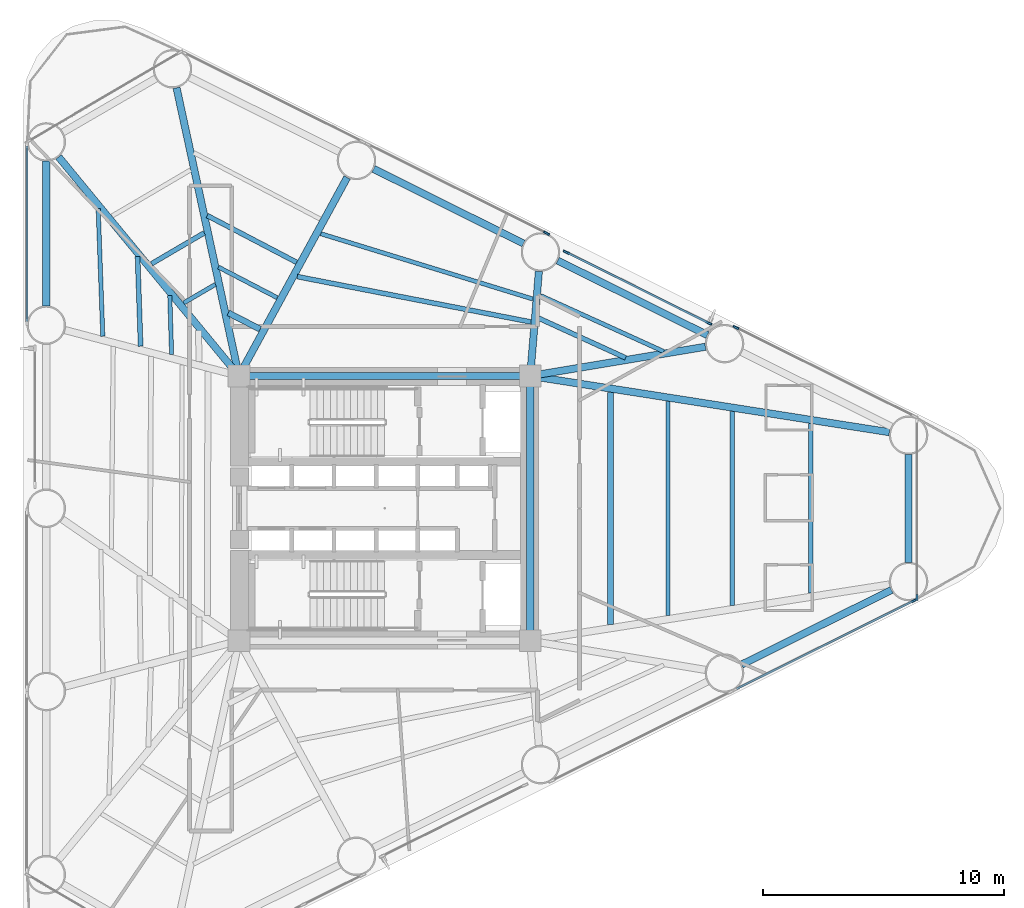
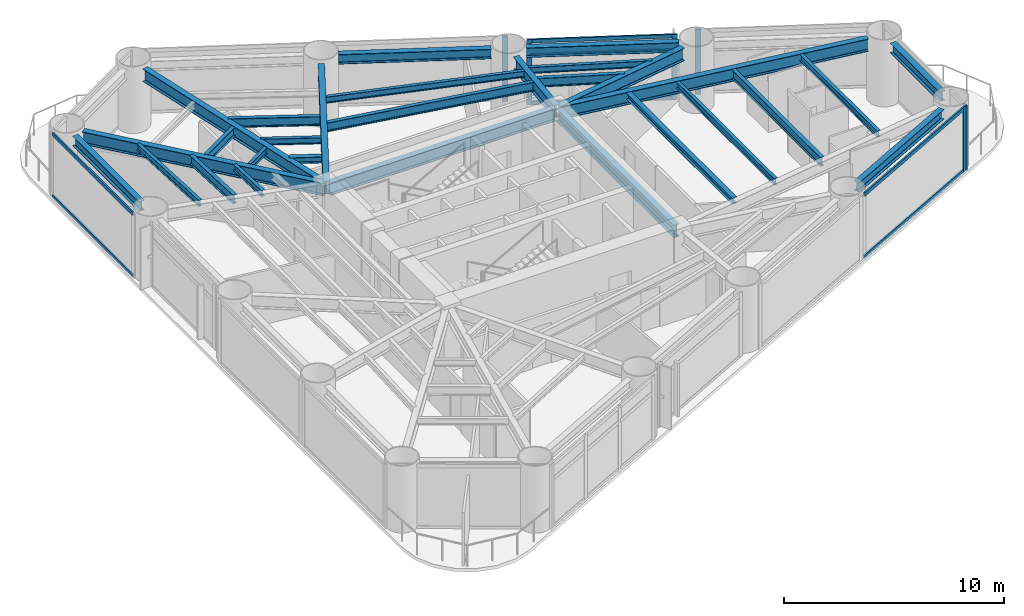
# One storey, part 3 of 10: 29 beams, 13 members, 6 elements without a shape of their own.
"""IFC4 building model written with IfcOpenShell, lengths in metres."""

from ifc_helpers import new_model, si_unit, direction, frame, origin, origin_2d, place, context, subcontext, project, spatial, rectangle, i_section, extrude, source, transform, mapped, material, layer, layer_set, material_profile, profile_set, type_object, element, aggregate, save


model = new_model("IFC4")

# Units and contexts
model_context = context("Model", 3, precision=1e-05, world=origin(), true_north=direction((0.0, 1.0)))
body_context = subcontext(model_context, "Body", "Model", "MODEL_VIEW")
ifc_project = project(units=[si_unit("LENGTHUNIT", "METRE"), si_unit("AREAUNIT", "SQUARE_METRE"), si_unit("VOLUMEUNIT", "CUBIC_METRE"), si_unit("PLANEANGLEUNIT", "RADIAN"), si_unit("MASSUNIT", "GRAM", prefix="KILO")], contexts=[model_context])

# Site, building, storey
site_placement = place(None, origin())
site = spatial("IfcSite", under=ifc_project, at=site_placement, CompositionType="ELEMENT")
building_placement = place(site_placement, origin())
building = spatial("IfcBuilding", under=site, at=building_placement, Name="Yunling Apex Tower", CompositionType="ELEMENT")
storey_placement = place(building_placement, frame((0.0, 0.0, 38.60009765625)))
storey = spatial("IfcBuildingStorey", under=building, at=storey_placement, Name="L11", CompositionType="ELEMENT", Elevation=38.60009765625)

# Beams
ifc_material_1 = material(Name="Steel Q355B", Category="steel")
ifc_material_profile_1 = material_profile(ifc_material_1, i_section(OverallWidth=0.300048828125, OverallDepth=0.699951171875, WebThickness=0.012939453125, FlangeThickness=0.02392578125, FilletRadius=0.02587890625, at=origin_2d()))
ifc_profile_set_1 = profile_set([ifc_material_profile_1], Name="Steel Q355B")
beam_type_1 = type_object("IfcBeamType", Name="BG-PRI-3", PredefinedType="USERDEFINED", material=ifc_profile_set_1)
shared_shape_1 = source(origin(), body_context, "Body", "SweptSolid", [
    extrude(i_section(OverallWidth=0.300048828125, OverallDepth=0.699951171875, WebThickness=0.012939453125, FlangeThickness=0.02392578125, FilletRadius=0.02587890625, at=origin_2d()), origin(), (0.0, 0.0, 1.0), 11.7998046875),
])
beam_1_placement = place(storey_placement, frame((5.89990234375, 5.5, 3.164794921875), z_axis=(-1.0, 0.0, 0.0), x_axis=(0.0, -1.0, 0.0)))
element("IfcBeam", 1, at=beam_1_placement, inside=storey, type_object=beam_type_1, Name="L11 Core Ring Tie Beam 3", ObjectType="GIRDER", PredefinedType="USERDEFINED", context=body_context, shape_type="MappedRepresentation", body=[
    mapped(shared_shape_1, transform((0.0, 0.0, 0.0), scale=1.0)),
])
shared_shape_2 = source(origin(), body_context, "Body", "SweptSolid", [
    extrude(i_section(OverallWidth=0.300048828125, OverallDepth=0.699951171875, WebThickness=0.012939453125, FlangeThickness=0.02392578125, FilletRadius=0.02587890625, at=origin_2d()), origin(), (0.0, 0.0, 1.0), 10.7001953125),
])
beam_2_placement = place(storey_placement, frame((6.050048828125, -5.35009765625, 3.164794921875), z_axis=(0.0, 1.0, 0.0), x_axis=(-1.0, 0.0, 0.0)))
element("IfcBeam", 2, at=beam_2_placement, inside=storey, type_object=beam_type_1, Name="L11 Core Ring Tie Beam 2", ObjectType="GIRDER", PredefinedType="USERDEFINED", context=body_context, shape_type="MappedRepresentation", body=[
    mapped(shared_shape_2, transform((0.0, 0.0, 0.0), scale=1.0)),
])
ifc_material_profile_2 = material_profile(ifc_material_1, i_section(OverallWidth=0.300048828125, OverallDepth=0.5400390625, WebThickness=0.011962890625, FlangeThickness=0.02001953125, FilletRadius=0.02392578125, at=origin_2d()))
ifc_profile_set_2 = profile_set([ifc_material_profile_2], Name="Steel Q355B")
beam_type_2 = type_object("IfcBeamType", Name="BP-SPN-1", PredefinedType="SPANDREL", material=ifc_profile_set_2)
shared_shape_3 = source(origin(), body_context, "Body", "SweptSolid", [
    extrude(i_section(OverallWidth=0.300048828125, OverallDepth=0.5400390625, WebThickness=0.011962890625, FlangeThickness=0.02001953125, FilletRadius=0.02392578125, at=origin_2d()), origin(), (0.0, 0.0, 1.0), 6.950927734375),
])
for number, where, z_axis, x_axis, name in (
    (3, (14.83251953125, -6.48974609375, 3.244873046875), (0.895247556401, 0.445569088646, 0.0), (-0.445569088646, 0.895247556401, 0.0), "L11 Perimeter Spandrel Beam 4"),
    (4, (5.7666015625, 11.002197265625, 3.244873046875), (-0.895247556401, 0.445569088646, 0.0), (-0.445569088646, -0.895247556401, 0.0), "L11 Perimeter Spandrel Beam 8"),
):
    element("IfcBeam", number, at=place(storey_placement, frame(where, z_axis=z_axis, x_axis=x_axis)), inside=storey, type_object=beam_type_2, Name=name, PredefinedType="SPANDREL", context=body_context, shape_type="MappedRepresentation", body=[
        mapped(shared_shape_3, transform((0.0, 0.0, 0.0), scale=1.0)),
    ])
shared_shape_4 = source(origin(), body_context, "Body", "SweptSolid", [
    extrude(i_section(OverallWidth=0.300048828125, OverallDepth=0.5400390625, WebThickness=0.011962890625, FlangeThickness=0.02001953125, FilletRadius=0.02392578125, at=origin_2d()), origin(), (0.0, 0.0, 1.0), 6.95068359375),
])
beam_3_placement = place(storey_placement, frame((13.410888671875, 7.197509765625, 3.244873046875), z_axis=(-0.895254593944, 0.445554948375, 0.0), x_axis=(-0.445554948375, -0.895254593944, 0.0)))
element("IfcBeam", 5, at=beam_3_placement, inside=storey, type_object=beam_type_2, Name="L11 Perimeter Spandrel Beam 7", PredefinedType="SPANDREL", context=body_context, shape_type="MappedRepresentation", body=[
    mapped(shared_shape_4, transform((0.0, 0.0, 0.0), scale=1.0)),
])
shared_shape_5 = source(origin(), body_context, "Body", "SweptSolid", [
    extrude(i_section(OverallWidth=0.300048828125, OverallDepth=0.5400390625, WebThickness=0.011962890625, FlangeThickness=0.02001953125, FilletRadius=0.02392578125, at=origin_2d()), origin(), (0.0, 0.0, 1.0), 4.48974609375),
])
beam_4_placement = place(storey_placement, frame((21.76611328125, -2.244873046875, 3.244873046875), z_axis=(0.0, 1.0, 0.0), x_axis=(-1.0, 0.0, 0.0)))
element("IfcBeam", 6, at=beam_4_placement, inside=storey, type_object=beam_type_2, Name="L11 Perimeter Spandrel Beam 5", PredefinedType="SPANDREL", context=body_context, shape_type="MappedRepresentation", body=[
    mapped(shared_shape_5, transform((0.0, 0.0, 0.0), scale=1.0)),
])
shared_shape_6 = source(origin(), body_context, "Body", "SweptSolid", [
    extrude(i_section(OverallWidth=0.300048828125, OverallDepth=0.5400390625, WebThickness=0.011962890625, FlangeThickness=0.02001953125, FilletRadius=0.02392578125, at=origin_2d()), origin(), (0.0, 0.0, 1.0), 6.021240234375),
])
beam_5_placement = place(storey_placement, frame((-14.052001953125, 14.4248046875, 3.244873046875), z_axis=(0.0, -1.0, 0.0), x_axis=(1.0, 0.0, 0.0)))
element("IfcBeam", 7, at=beam_5_placement, inside=storey, type_object=beam_type_2, Name="L11 Perimeter Spandrel Beam 11", PredefinedType="SPANDREL", context=body_context, shape_type="MappedRepresentation", body=[
    mapped(shared_shape_6, transform((0.0, 0.0, 0.0), scale=1.0)),
])
shared_shape_7 = source(origin(), body_context, "Body", "SweptSolid", [
    extrude(i_section(OverallWidth=0.300048828125, OverallDepth=0.699951171875, WebThickness=0.012939453125, FlangeThickness=0.02392578125, FilletRadius=0.02587890625, at=origin_2d()), origin(), (0.0, 0.0, 1.0), 12.165283203125),
])
beam_6_placement = place(storey_placement, frame((-8.640625, 17.468017578125, 3.164794921875), z_axis=(0.2115638914, -0.977364169517, 0.0), x_axis=(0.977364169517, 0.2115638914, 0.0)))
element("IfcBeam", 8, at=beam_6_placement, inside=storey, type_object=beam_type_1, Name="L11 Radial Primary Girder R10", ObjectType="GIRDER", PredefinedType="USERDEFINED", context=body_context, shape_type="MappedRepresentation", body=[
    mapped(shared_shape_7, transform((0.0, 0.0, 0.0), scale=1.0)),
])
shared_shape_8 = source(origin(), body_context, "Body", "SweptSolid", [
    extrude(i_section(OverallWidth=0.300048828125, OverallDepth=0.699951171875, WebThickness=0.012939453125, FlangeThickness=0.02392578125, FilletRadius=0.02587890625, at=origin_2d()), origin(), (0.0, 0.0, 1.0), 9.31005859375),
])
beam_7_placement = place(storey_placement, frame((-1.553955078125, 13.74365234375, 3.164794921875), z_axis=(-0.478817221141, -0.877914613581, 0.0), x_axis=(0.877914613581, -0.478817221141, 0.0)))
element("IfcBeam", 9, at=beam_7_placement, inside=storey, type_object=beam_type_1, Name="L11 Radial Primary Girder R09", ObjectType="GIRDER", PredefinedType="USERDEFINED", context=body_context, shape_type="MappedRepresentation", body=[
    mapped(shared_shape_8, transform((0.0, 0.0, 0.0), scale=1.0)),
])
shared_shape_9 = source(origin(), body_context, "Body", "SweptSolid", [
    extrude(i_section(OverallWidth=0.300048828125, OverallDepth=0.699951171875, WebThickness=0.012939453125, FlangeThickness=0.02392578125, FilletRadius=0.02587890625, at=origin_2d()), origin(), (0.0, 0.0, 1.0), 4.278076171875),
])
beam_8_placement = place(storey_placement, frame((6.41064453125, 9.843017578125, 3.164794921875), z_axis=(-0.082747937789, -0.996570508691, 0.0), x_axis=(0.996570508691, -0.082747937789, 0.0)))
element("IfcBeam", 10, at=beam_8_placement, inside=storey, type_object=beam_type_1, Name="L11 Radial Primary Girder R08", ObjectType="GIRDER", PredefinedType="USERDEFINED", context=body_context, shape_type="MappedRepresentation", body=[
    mapped(shared_shape_9, transform((0.0, 0.0, 0.0), scale=1.0)),
])
shared_shape_10 = source(origin(), body_context, "Body", "SweptSolid", [
    extrude(i_section(OverallWidth=0.300048828125, OverallDepth=0.699951171875, WebThickness=0.012939453125, FlangeThickness=0.02392578125, FilletRadius=0.02587890625, at=origin_2d()), origin(), (0.0, 0.0, 1.0), 7.294921875),
])
beam_9_placement = place(storey_placement, frame((13.32470703125, 6.7109375, 3.164794921875), z_axis=(-0.98642827455, -0.164192750049, 0.0), x_axis=(0.164192750049, -0.98642827455, 0.0)))
element("IfcBeam", 11, at=beam_9_placement, inside=storey, type_object=beam_type_1, Name="L11 Radial Primary Girder R07", ObjectType="GIRDER", PredefinedType="USERDEFINED", context=body_context, shape_type="MappedRepresentation", body=[
    mapped(shared_shape_10, transform((0.0, 0.0, 0.0), scale=1.0)),
])
shared_shape_11 = source(origin(), body_context, "Body", "SweptSolid", [
    extrude(i_section(OverallWidth=0.300048828125, OverallDepth=0.699951171875, WebThickness=0.012939453125, FlangeThickness=0.02392578125, FilletRadius=0.02587890625, at=origin_2d()), origin(), (0.0, 0.0, 1.0), 15.02001953125),
])
beam_10_placement = place(storey_placement, frame((20.968017578125, 3.163818359375, 3.164794921875), z_axis=(-0.987959991473, 0.154709583568, 0.0), x_axis=(-0.154709583568, -0.987959991473, 0.0)))
element("IfcBeam", 12, at=beam_10_placement, inside=storey, type_object=beam_type_1, Name="L11 Radial Primary Girder R06", ObjectType="GIRDER", PredefinedType="USERDEFINED", context=body_context, shape_type="MappedRepresentation", body=[
    mapped(shared_shape_11, transform((0.0, 0.0, 0.0), scale=1.0)),
])
shared_shape_12 = source(origin(), body_context, "Body", "SweptSolid", [
    extrude(i_section(OverallWidth=0.300048828125, OverallDepth=0.699951171875, WebThickness=0.012939453125, FlangeThickness=0.02392578125, FilletRadius=0.02587890625, at=origin_2d()), origin(), (0.0, 0.0, 1.0), 11.701171875),
])
beam_11_placement = place(storey_placement, frame((-13.538330078125, 14.59521484375, 3.164794921875), z_axis=(0.635615100524, -0.772006116547, 0.0), x_axis=(0.772006116547, 0.635615100524, 0.0)))
element("IfcBeam", 13, at=beam_11_placement, inside=storey, type_object=beam_type_1, Name="L11 Radial Primary Girder R11", ObjectType="GIRDER", PredefinedType="USERDEFINED", context=body_context, shape_type="MappedRepresentation", body=[
    mapped(shared_shape_12, transform((0.0, 0.0, 0.0), scale=1.0)),
])
ifc_material_profile_3 = material_profile(ifc_material_1, i_section(OverallWidth=0.199951171875, OverallDepth=0.5, WebThickness=0.010009765625, FlangeThickness=0.01611328125, FilletRadius=0.02001953125, at=origin_2d()))
ifc_profile_set_3 = profile_set([ifc_material_profile_3], Name="Steel Q355B")
beam_type_3 = type_object("IfcBeamType", Name="BS-SEC-2", PredefinedType="BEAM", material=ifc_profile_set_3)
shared_shape_13 = source(origin(), body_context, "Body", "SweptSolid", [
    extrude(i_section(OverallWidth=0.199951171875, OverallDepth=0.5, WebThickness=0.010009765625, FlangeThickness=0.01611328125, FilletRadius=0.02001953125, at=origin_2d()), origin(), (0.0, 0.0, 1.0), 4.186279296875),
])
beam_12_placement = place(storey_placement, frame((-3.6572265625, 10.221435546875, 3.264892578125), z_axis=(-0.886028927656, 0.463629959512, 0.0), x_axis=(-0.463629959512, -0.886028927656, 0.0)))
element("IfcBeam", 14, at=beam_12_placement, inside=storey, type_object=beam_type_3, Name="L11 Composite Floor Beam BS-9", PredefinedType="BEAM", context=body_context, shape_type="MappedRepresentation", body=[
    mapped(shared_shape_13, transform((0.0, 0.0, 0.0), scale=1.0)),
])
ifc_material_profile_4 = material_profile(ifc_material_1, i_section(OverallWidth=0.175048828125, OverallDepth=0.35009765625, WebThickness=0.007080078125, FlangeThickness=0.010986328125, FilletRadius=0.013916015625, at=origin_2d()))
ifc_profile_set_4 = profile_set([ifc_material_profile_4], Name="Steel Q355B")
beam_type_4 = type_object("IfcBeamType", Name="BJ-JST-1", PredefinedType="JOIST", material=ifc_profile_set_4)
shared_shape_14 = source(origin(), body_context, "Body", "SweptSolid", [
    extrude(i_section(OverallWidth=0.175048828125, OverallDepth=0.35009765625, WebThickness=0.007080078125, FlangeThickness=0.010986328125, FilletRadius=0.013916015625, at=origin_2d()), origin(), (0.0, 0.0, 1.0), 2.7548828125),
])
beam_13_placement = place(storey_placement, frame((-4.459716796875, 8.75, 3.33984375), z_axis=(-0.886932237595, 0.461899562584, 0.0), x_axis=(-0.461899562584, -0.886932237595, 0.0)))
element("IfcBeam", 15, at=beam_13_placement, inside=storey, type_object=beam_type_4, Name="L11 Composite Floor Joist BJ3-9", PredefinedType="JOIST", context=body_context, shape_type="MappedRepresentation", body=[
    mapped(shared_shape_14, transform((0.0, 0.0, 0.0), scale=1.0)),
])
ifc_material_profile_5 = material_profile(ifc_material_1, i_section(OverallWidth=0.25, OverallDepth=0.340087890625, WebThickness=0.009033203125, FlangeThickness=0.013916015625, FilletRadius=0.01806640625, at=origin_2d()))
ifc_profile_set_5 = profile_set([ifc_material_profile_5], Name="Steel Q355B")
beam_type_5 = type_object("IfcBeamType", Name="BJ-JST-2", PredefinedType="JOIST", material=ifc_profile_set_5)
shared_shape_15 = source(origin(), body_context, "Body", "SweptSolid", [
    extrude(i_section(OverallWidth=0.25, OverallDepth=0.340087890625, WebThickness=0.009033203125, FlangeThickness=0.013916015625, FilletRadius=0.01806640625, at=origin_2d()), origin(), (0.0, 0.0, 1.0), 1.482421875),
])
beam_14_placement = place(storey_placement, frame((-5.173095703125, 7.441650390625, 3.344970703125), z_axis=(-0.888960334438, 0.457984196012, 0.0), x_axis=(-0.457984196012, -0.888960334438, 0.0)))
element("IfcBeam", 16, at=beam_14_placement, inside=storey, type_object=beam_type_5, Name="L11 Composite Floor Joist BJ2-9", PredefinedType="JOIST", context=body_context, shape_type="MappedRepresentation", body=[
    mapped(shared_shape_15, transform((0.0, 0.0, 0.0), scale=1.0)),
])
shared_shape_16 = source(origin(), body_context, "Body", "SweptSolid", [
    extrude(i_section(OverallWidth=0.199951171875, OverallDepth=0.5, WebThickness=0.010009765625, FlangeThickness=0.01611328125, FilletRadius=0.02001953125, at=origin_2d()), origin(), (0.0, 0.0, 1.0), 9.883544921875),
])
beam_15_placement = place(storey_placement, frame((6.076416015625, 7.741943359375, 3.264892578125), z_axis=(-0.981653423938, 0.190673950161, 0.0), x_axis=(-0.190673950161, -0.981653423938, 0.0)))
element("IfcBeam", 17, at=beam_15_placement, inside=storey, type_object=beam_type_3, Name="L11 Composite Floor Beam BS-8", PredefinedType="BEAM", context=body_context, shape_type="MappedRepresentation", body=[
    mapped(shared_shape_16, transform((0.0, 0.0, 0.0), scale=1.0)),
])
shared_shape_17 = source(origin(), body_context, "Body", "SweptSolid", [
    extrude(i_section(OverallWidth=0.175048828125, OverallDepth=0.35009765625, WebThickness=0.007080078125, FlangeThickness=0.010986328125, FilletRadius=0.013916015625, at=origin_2d()), origin(), (0.0, 0.0, 1.0), 9.2158203125),
])
beam_16_placement = place(storey_placement, frame((6.15869140625, 8.6962890625, 3.33984375), z_axis=(-0.955731454849, 0.294240354492, 0.0), x_axis=(-0.294240354492, -0.955731454849, 0.0)))
element("IfcBeam", 18, at=beam_16_placement, inside=storey, type_object=beam_type_4, Name="L11 Composite Floor Joist BJ1-8", PredefinedType="JOIST", context=body_context, shape_type="MappedRepresentation", body=[
    mapped(shared_shape_17, transform((0.0, 0.0, 0.0), scale=1.0)),
])
shared_shape_18 = source(origin(), body_context, "Body", "SweptSolid", [
    extrude(i_section(OverallWidth=0.199951171875, OverallDepth=0.5, WebThickness=0.010009765625, FlangeThickness=0.01611328125, FilletRadius=0.02001953125, at=origin_2d()), origin(), (0.0, 0.0, 1.0), 3.971923828125),
])
beam_17_placement = place(storey_placement, frame((10.01318359375, 6.25048828125, 3.264892578125), z_axis=(-0.909609234888, 0.415464847858, 0.0), x_axis=(-0.415464847858, -0.909609234888, 0.0)))
element("IfcBeam", 19, at=beam_17_placement, inside=storey, type_object=beam_type_3, Name="L11 Composite Floor Beam BS-7", PredefinedType="BEAM", context=body_context, shape_type="MappedRepresentation", body=[
    mapped(shared_shape_18, transform((0.0, 0.0, 0.0), scale=1.0)),
])
shared_shape_19 = source(origin(), body_context, "Body", "SweptSolid", [
    extrude(i_section(OverallWidth=0.175048828125, OverallDepth=0.35009765625, WebThickness=0.007080078125, FlangeThickness=0.010986328125, FilletRadius=0.013916015625, at=origin_2d()), origin(), (0.0, 0.0, 1.0), 5.62109375),
])
beam_18_placement = place(storey_placement, frame((11.595947265625, 6.513671875, 3.33984375), z_axis=(-0.910411095702, 0.413704770124, 0.0), x_axis=(-0.413704770124, -0.910411095702, 0.0)))
element("IfcBeam", 20, at=beam_18_placement, inside=storey, type_object=beam_type_4, Name="L11 Composite Floor Joist BJ1-7", PredefinedType="JOIST", context=body_context, shape_type="MappedRepresentation", body=[
    mapped(shared_shape_19, transform((0.0, 0.0, 0.0), scale=1.0)),
])
shared_shape_20 = source(origin(), body_context, "Body", "SweptSolid", [
    extrude(i_section(OverallWidth=0.199951171875, OverallDepth=0.5, WebThickness=0.010009765625, FlangeThickness=0.01611328125, FilletRadius=0.02001953125, at=origin_2d()), origin(), (0.0, 0.0, 1.0), 8.052734375),
])
beam_19_placement = place(storey_placement, frame((14.438720703125, -4.0263671875, 3.264892578125), z_axis=(0.0, 1.0, 0.0), x_axis=(-1.0, 0.0, 0.0)))
element("IfcBeam", 21, at=beam_19_placement, inside=storey, type_object=beam_type_3, Name="L11 Composite Floor Beam BS-5", PredefinedType="BEAM", context=body_context, shape_type="MappedRepresentation", body=[
    mapped(shared_shape_20, transform((0.0, 0.0, 0.0), scale=1.0)),
])
shared_shape_21 = source(origin(), body_context, "Body", "SweptSolid", [
    extrude(i_section(OverallWidth=0.175048828125, OverallDepth=0.35009765625, WebThickness=0.007080078125, FlangeThickness=0.010986328125, FilletRadius=0.013916015625, at=origin_2d()), origin(), (0.0, 0.0, 1.0), 7.02978515625),
])
beam_20_placement = place(storey_placement, frame((17.703369140625, -3.514892578125, 3.33984375), z_axis=(0.0, 1.0, 0.0), x_axis=(-1.0, 0.0, 0.0)))
element("IfcBeam", 22, at=beam_20_placement, inside=storey, type_object=beam_type_4, Name="L11 Composite Floor Joist BJ1-5", PredefinedType="JOIST", context=body_context, shape_type="MappedRepresentation", body=[
    mapped(shared_shape_21, transform((0.0, 0.0, 0.0), scale=1.0)),
])
shared_shape_22 = source(origin(), body_context, "Body", "SweptSolid", [
    extrude(i_section(OverallWidth=0.175048828125, OverallDepth=0.35009765625, WebThickness=0.007080078125, FlangeThickness=0.010986328125, FilletRadius=0.013916015625, at=origin_2d()), origin(), (0.0, 0.0, 1.0), 8.88916015625),
])
beam_21_placement = place(storey_placement, frame((11.767822265625, -4.444580078125, 3.33984375), z_axis=(0.0, 1.0, 0.0), x_axis=(-1.0, 0.0, 0.0)))
element("IfcBeam", 23, at=beam_21_placement, inside=storey, type_object=beam_type_4, Name="L11 Composite Floor Joist BJ3-5", PredefinedType="JOIST", context=body_context, shape_type="MappedRepresentation", body=[
    mapped(shared_shape_22, transform((0.0, 0.0, 0.0), scale=1.0)),
])
shared_shape_23 = source(origin(), body_context, "Body", "SweptSolid", [
    extrude(i_section(OverallWidth=0.25, OverallDepth=0.340087890625, WebThickness=0.009033203125, FlangeThickness=0.013916015625, FilletRadius=0.01806640625, at=origin_2d()), origin(), (0.0, 0.0, 1.0), 9.6328125),
])
beam_22_placement = place(storey_placement, frame((9.3935546875, -4.81640625, 3.344970703125), z_axis=(0.0, 1.0, 0.0), x_axis=(-1.0, 0.0, 0.0)))
element("IfcBeam", 24, at=beam_22_placement, inside=storey, type_object=beam_type_5, Name="L11 Composite Floor Joist BJ2-5", PredefinedType="JOIST", context=body_context, shape_type="MappedRepresentation", body=[
    mapped(shared_shape_23, transform((0.0, 0.0, 0.0), scale=1.0)),
])
shared_shape_24 = source(origin(), body_context, "Body", "SweptSolid", [
    extrude(i_section(OverallWidth=0.199951171875, OverallDepth=0.5, WebThickness=0.010009765625, FlangeThickness=0.01611328125, FilletRadius=0.02001953125, at=origin_2d()), origin(), (0.0, 0.0, 1.0), 2.5380859375),
])
beam_23_placement = place(storey_placement, frame((-7.49169921875, 11.4423828125, 3.264892578125), z_axis=(-0.862768873171, -0.505598527972, 0.0), x_axis=(0.505598527972, -0.862768873171, 0.0)))
element("IfcBeam", 25, at=beam_23_placement, inside=storey, type_object=beam_type_3, Name="L11 Composite Floor Beam BS-10", PredefinedType="BEAM", context=body_context, shape_type="MappedRepresentation", body=[
    mapped(shared_shape_24, transform((0.0, 0.0, 0.0), scale=1.0)),
])
shared_shape_25 = source(origin(), body_context, "Body", "SweptSolid", [
    extrude(i_section(OverallWidth=0.175048828125, OverallDepth=0.35009765625, WebThickness=0.007080078125, FlangeThickness=0.010986328125, FilletRadius=0.013916015625, at=origin_2d()), origin(), (0.0, 0.0, 1.0), 1.522705078125),
])
beam_24_placement = place(storey_placement, frame((-7.028564453125, 9.30224609375, 3.33984375), z_axis=(-0.863086068208, -0.505056866962, 0.0), x_axis=(0.505056866962, -0.863086068208, 0.0)))
element("IfcBeam", 26, at=beam_24_placement, inside=storey, type_object=beam_type_4, Name="L11 Composite Floor Joist BJ3-10", PredefinedType="JOIST", context=body_context, shape_type="MappedRepresentation", body=[
    mapped(shared_shape_25, transform((0.0, 0.0, 0.0), scale=1.0)),
])
shared_shape_26 = source(origin(), body_context, "Body", "SweptSolid", [
    extrude(i_section(OverallWidth=0.199951171875, OverallDepth=0.5, WebThickness=0.010009765625, FlangeThickness=0.01611328125, FilletRadius=0.02001953125, at=origin_2d()), origin(), (0.0, 0.0, 1.0), 3.727783203125),
])
beam_25_placement = place(storey_placement, frame((-10.260498046875, 10.46044921875, 3.264892578125), z_axis=(0.034187081609, -0.999415450877, 0.0), x_axis=(0.999415450877, 0.034187081609, 0.0)))
element("IfcBeam", 27, at=beam_25_placement, inside=storey, type_object=beam_type_3, Name="L11 Composite Floor Beam BS-11", PredefinedType="BEAM", context=body_context, shape_type="MappedRepresentation", body=[
    mapped(shared_shape_26, transform((0.0, 0.0, 0.0), scale=1.0)),
])
shared_shape_27 = source(origin(), body_context, "Body", "SweptSolid", [
    extrude(i_section(OverallWidth=0.175048828125, OverallDepth=0.35009765625, WebThickness=0.007080078125, FlangeThickness=0.010986328125, FilletRadius=0.013916015625, at=origin_2d()), origin(), (0.0, 0.0, 1.0), 5.30224609375),
])
beam_26_placement = place(storey_placement, frame((-11.896484375, 12.447998046875, 3.33984375), z_axis=(0.036144814399, -0.999346562706, 0.0), x_axis=(0.999346562706, 0.036144814399, 0.0)))
element("IfcBeam", 28, at=beam_26_placement, inside=storey, type_object=beam_type_4, Name="L11 Composite Floor Joist BJ1-11", PredefinedType="JOIST", context=body_context, shape_type="MappedRepresentation", body=[
    mapped(shared_shape_27, transform((0.0, 0.0, 0.0), scale=1.0)),
])
shared_shape_28 = source(origin(), body_context, "Body", "SweptSolid", [
    extrude(i_section(OverallWidth=0.175048828125, OverallDepth=0.35009765625, WebThickness=0.007080078125, FlangeThickness=0.010986328125, FilletRadius=0.013916015625, at=origin_2d()), origin(), (0.0, 0.0, 1.0), 2.439697265625),
])
beam_27_placement = place(storey_placement, frame((-8.922119140625, 8.83447265625, 3.33984375), z_axis=(0.03092233012, -0.999521790408, 0.0), x_axis=(0.999521790408, 0.03092233012, 0.0)))
element("IfcBeam", 29, at=beam_27_placement, inside=storey, type_object=beam_type_4, Name="L11 Composite Floor Joist BJ3-11", PredefinedType="JOIST", context=body_context, shape_type="MappedRepresentation", body=[
    mapped(shared_shape_28, transform((0.0, 0.0, 0.0), scale=1.0)),
])

# Curtain wall, member
ifc_material_2 = material(Name="Bronze anodised aluminium", Category="aluminium")
ifc_layer = layer(ifc_material_2, 0.260009765625)
ifc_layer_set = layer_set([ifc_layer], Name="Bronze anodised aluminium")
curtain_wall_type = type_object("IfcCurtainWallType", Name="CW-SYS-2", PredefinedType="NOTDEFINED", material=ifc_layer_set)
curtain_wall_1_placement = place(storey_placement, origin())
curtain_wall_1 = element("IfcCurtainWall", 30, at=curtain_wall_1_placement, inside=storey, type_object=curtain_wall_type, Name="CW-L11-F1-B4", PredefinedType="NOTDEFINED")
ifc_material_profile_6 = material_profile(ifc_material_2, rectangle(XDim=0.0849609375, YDim=0.260009765625, at=origin_2d()))
ifc_profile_set_6 = profile_set([ifc_material_profile_6], Name="Bronze anodised aluminium")
member_type_1 = type_object("IfcMemberType", Name="CW-MUL-2", PredefinedType="MULLION", material=ifc_profile_set_6)
shared_shape_29 = source(origin(), body_context, "Body", "SweptSolid", [
    extrude(rectangle(XDim=0.0849609375, YDim=0.260009765625, at=origin_2d()), origin(), (0.0, 0.0, 1.0), 3.614990234375),
])
member_1_placement = place(storey_placement, frame((22.017333984375, -3.818603515625, -0.050048828125), z_axis=(0.0, 0.0, 1.0), x_axis=(-0.445580190214, 0.895242031011, 0.0)))
member_1 = element("IfcMember", 31, at=member_1_placement, type_object=member_type_1, Name="CW-SYS-2 mullion 2", PredefinedType="MULLION", context=body_context, shape_type="MappedRepresentation", body=[
    mapped(shared_shape_29, transform((0.0, 0.0, 0.0), scale=1.0)),
])

curtain_wall_2_placement = place(storey_placement, origin())
curtain_wall_2 = element("IfcCurtainWall", 32, at=curtain_wall_2_placement, inside=storey, type_object=curtain_wall_type, Name="CW-L11-CRN1", PredefinedType="NOTDEFINED")
member_2_placement = place(storey_placement, frame((22.1181640625, -3.70361328125, -0.050048828125), z_axis=(0.0, 0.0, 1.0), x_axis=(-1.0, 0.0, 0.0)))
member_2 = element("IfcMember", 33, at=member_2_placement, type_object=member_type_1, Name="CW-SYS-2 mullion 1", PredefinedType="MULLION", context=body_context, shape_type="MappedRepresentation", body=[
    mapped(shared_shape_29, transform((0.0, 0.0, 0.0), scale=1.0)),
])
aggregate(curtain_wall_2, [member_2])

curtain_wall_3_placement = place(storey_placement, origin())
curtain_wall_3 = element("IfcCurtainWall", 34, at=curtain_wall_3_placement, inside=storey, type_object=curtain_wall_type, Name="CW-L11-F2-B1", PredefinedType="NOTDEFINED")
member_3_placement = place(storey_placement, frame((14.59228515625, 7.51416015625, -0.050048828125), z_axis=(0.0, 0.0, 1.0), x_axis=(-0.445580190214, -0.895242031011, 0.0)))
member_3 = element("IfcMember", 35, at=member_3_placement, type_object=member_type_1, Name="CW-SYS-2 mullion 2", PredefinedType="MULLION", context=body_context, shape_type="MappedRepresentation", body=[
    mapped(shared_shape_29, transform((0.0, 0.0, 0.0), scale=1.0)),
])
aggregate(curtain_wall_3, [member_3])

# Curtain wall, members
curtain_wall_4_placement = place(storey_placement, origin())
curtain_wall_4 = element("IfcCurtainWall", 36, at=curtain_wall_4_placement, inside=storey, type_object=curtain_wall_type, Name="CW-L11-F2-B2", PredefinedType="NOTDEFINED")
member_4_placement = place(storey_placement, frame((13.469482421875, 7.693115234375, -0.050048828125), z_axis=(0.0, 0.0, 1.0), x_axis=(-0.445576771947, -0.895243732344, 0.0)))
member_4 = element("IfcMember", 37, at=member_4_placement, type_object=member_type_1, Name="CW-SYS-2 mullion 1", PredefinedType="MULLION", context=body_context, shape_type="MappedRepresentation", body=[
    mapped(shared_shape_29, transform((0.0, 0.0, 0.0), scale=1.0)),
])
member_5_placement = place(storey_placement, frame((7.54833984375, 10.640380859375, -0.050048828125), z_axis=(0.0, 0.0, 1.0), x_axis=(-0.445576771947, -0.895243732344, 0.0)))
member_5 = element("IfcMember", 38, at=member_5_placement, type_object=member_type_1, Name="CW-SYS-2 mullion 2", PredefinedType="MULLION", context=body_context, shape_type="MappedRepresentation", body=[
    mapped(shared_shape_29, transform((0.0, 0.0, 0.0), scale=1.0)),
])

# Curtain wall, member
curtain_wall_5_placement = place(storey_placement, origin())
curtain_wall_5 = element("IfcCurtainWall", 39, at=curtain_wall_5_placement, inside=storey, type_object=curtain_wall_type, Name="CW-L11-F2-B3", PredefinedType="NOTDEFINED")
member_6_placement = place(storey_placement, frame((6.728515625, 11.427978515625, -0.050048828125), z_axis=(0.0, 0.0, 1.0), x_axis=(-0.445580190214, -0.895242031011, 0.0)))
member_6 = element("IfcMember", 40, at=member_6_placement, type_object=member_type_1, Name="CW-SYS-2 mullion 1", PredefinedType="MULLION", context=body_context, shape_type="MappedRepresentation", body=[
    mapped(shared_shape_29, transform((0.0, 0.0, 0.0), scale=1.0)),
])
aggregate(curtain_wall_5, [member_6])

# Member
ifc_material_profile_7 = material_profile(ifc_material_2, rectangle(XDim=0.0849609375, YDim=0.199951171875, at=origin_2d()))
ifc_profile_set_7 = profile_set([ifc_material_profile_7], Name="Bronze anodised aluminium")
member_type_2 = type_object("IfcMemberType", Name="CW-TRN-2", PredefinedType="USERDEFINED", material=ifc_profile_set_7)
shared_shape_30 = source(origin(), body_context, "Body", "SweptSolid", [
    extrude(rectangle(XDim=0.0849609375, YDim=0.199951171875, at=origin_2d()), origin(), (0.0, 0.0, 1.0), 8.21728515625),
])
member_7_placement = place(storey_placement, frame((14.626708984375, -7.4970703125, 0.04248046875), z_axis=(0.895245705371, 0.445572807761, 0.0), x_axis=(-0.445572807761, 0.895245705371, 0.0)))
member_7 = element("IfcMember", 41, at=member_7_placement, type_object=member_type_2, Name="CW-SYS-2 transom 1.1", ObjectType="TRANSOM", PredefinedType="USERDEFINED", context=body_context, shape_type="MappedRepresentation", body=[
    mapped(shared_shape_30, transform((0.0, 0.0, 0.0), scale=1.0)),
])

member_8_placement = place(storey_placement, frame((14.626708984375, -7.4970703125, 3.472412109375), z_axis=(0.895245705371, 0.445572807761, 0.0), x_axis=(-0.445572807761, 0.895245705371, 0.0)))
member_8 = element("IfcMember", 42, at=member_8_placement, type_object=member_type_2, Name="CW-SYS-2 transom 1.2", ObjectType="TRANSOM", PredefinedType="USERDEFINED", context=body_context, shape_type="MappedRepresentation", body=[
    mapped(shared_shape_30, transform((0.0, 0.0, 0.0), scale=1.0)),
])

aggregate(curtain_wall_1, [member_1, member_7, member_8])

# Curtain wall, members
curtain_wall_6_placement = place(storey_placement, origin())
curtain_wall_6 = element("IfcCurtainWall", 43, at=curtain_wall_6_placement, inside=storey, type_object=curtain_wall_type, Name="CW-L11-F3-B1", PredefinedType="NOTDEFINED")
shared_shape_31 = source(origin(), body_context, "Body", "SweptSolid", [
    extrude(rectangle(XDim=0.0849609375, YDim=0.199951171875, at=origin_2d()), origin(), (0.0, 0.0, 1.0), 7.287841796875),
])
member_9_placement = place(storey_placement, frame((-14.862060546875, 15.05810546875, 0.04248046875), z_axis=(0.0, -1.0, 0.0), x_axis=(1.0, 0.0, 0.0)))
member_9 = element("IfcMember", 44, at=member_9_placement, type_object=member_type_2, Name="CW-SYS-2 transom 1.1", ObjectType="TRANSOM", PredefinedType="USERDEFINED", context=body_context, shape_type="MappedRepresentation", body=[
    mapped(shared_shape_31, transform((0.0, 0.0, 0.0), scale=1.0)),
])
member_10_placement = place(storey_placement, frame((-14.862060546875, 15.05810546875, 3.472412109375), z_axis=(0.0, -1.0, 0.0), x_axis=(1.0, 0.0, 0.0)))
member_10 = element("IfcMember", 45, at=member_10_placement, type_object=member_type_2, Name="CW-SYS-2 transom 1.2", ObjectType="TRANSOM", PredefinedType="USERDEFINED", context=body_context, shape_type="MappedRepresentation", body=[
    mapped(shared_shape_31, transform((0.0, 0.0, 0.0), scale=1.0)),
])
aggregate(curtain_wall_6, [member_9, member_10])

# Member
shared_shape_32 = source(origin(), body_context, "Body", "SweptSolid", [
    extrude(rectangle(XDim=0.0849609375, YDim=0.199951171875, at=origin_2d()), origin(), (0.0, 0.0, 1.0), 6.537353515625),
])
member_11_placement = place(storey_placement, frame((13.435302734375, 7.710205078125, 0.04248046875), z_axis=(-0.895232386263, 0.445599567533, 0.0), x_axis=(-0.445599567533, -0.895232386263, 0.0)))
member_11 = element("IfcMember", 46, at=member_11_placement, type_object=member_type_2, Name="CW-SYS-2 transom 1.1", ObjectType="TRANSOM", PredefinedType="USERDEFINED", context=body_context, shape_type="MappedRepresentation", body=[
    mapped(shared_shape_32, transform((0.0, 0.0, 0.0), scale=1.0)),
])

member_12_placement = place(storey_placement, frame((13.435302734375, 7.710205078125, 2.67138671875), z_axis=(-0.895232386263, 0.445599567533, 0.0), x_axis=(-0.445599567533, -0.895232386263, 0.0)))
member_12 = element("IfcMember", 47, at=member_12_placement, type_object=member_type_2, Name="CW-SYS-2 transom 1.2", ObjectType="TRANSOM", PredefinedType="USERDEFINED", context=body_context, shape_type="MappedRepresentation", body=[
    mapped(shared_shape_32, transform((0.0, 0.0, 0.0), scale=1.0)),
])

member_13_placement = place(storey_placement, frame((13.435302734375, 7.710205078125, 3.472412109375), z_axis=(-0.895232386263, 0.445599567533, 0.0), x_axis=(-0.445599567533, -0.895232386263, 0.0)))
member_13 = element("IfcMember", 48, at=member_13_placement, type_object=member_type_2, Name="CW-SYS-2 transom 1.3", ObjectType="TRANSOM", PredefinedType="USERDEFINED", context=body_context, shape_type="MappedRepresentation", body=[
    mapped(shared_shape_32, transform((0.0, 0.0, 0.0), scale=1.0)),
])

aggregate(curtain_wall_4, [member_4, member_5, member_11, member_12, member_13])

save(model, "model.ifc")
